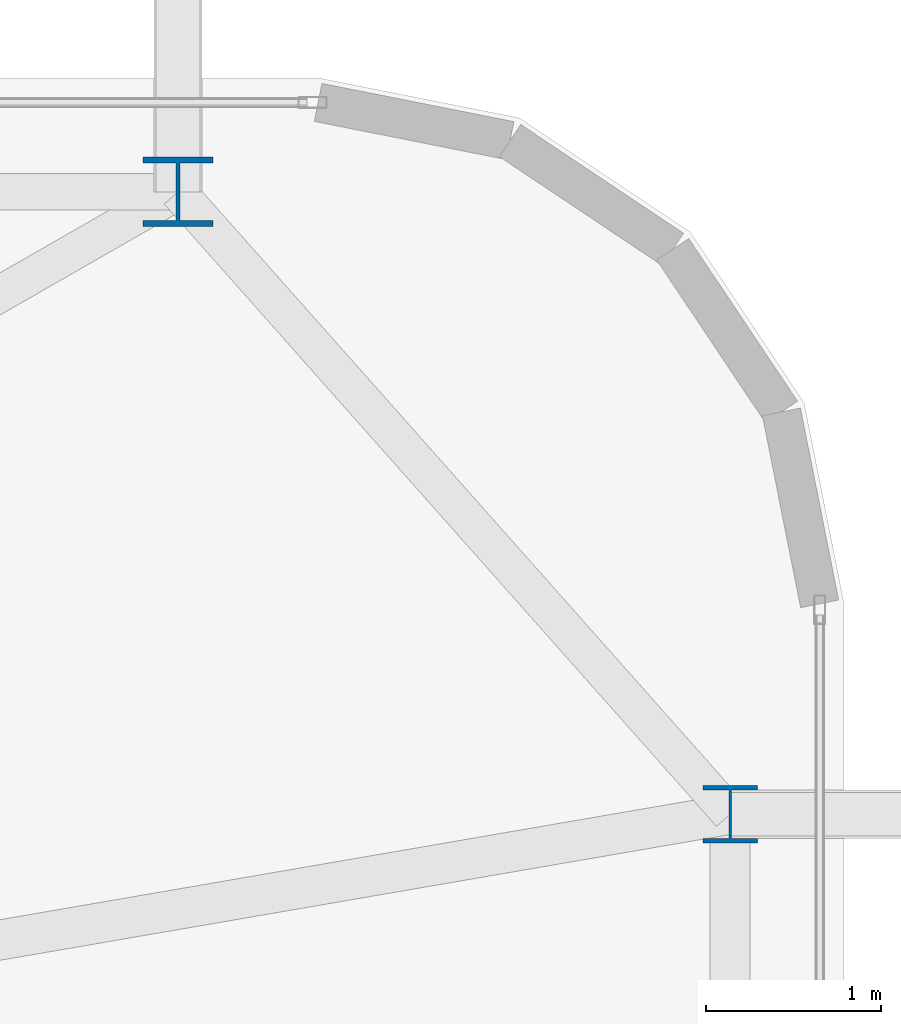
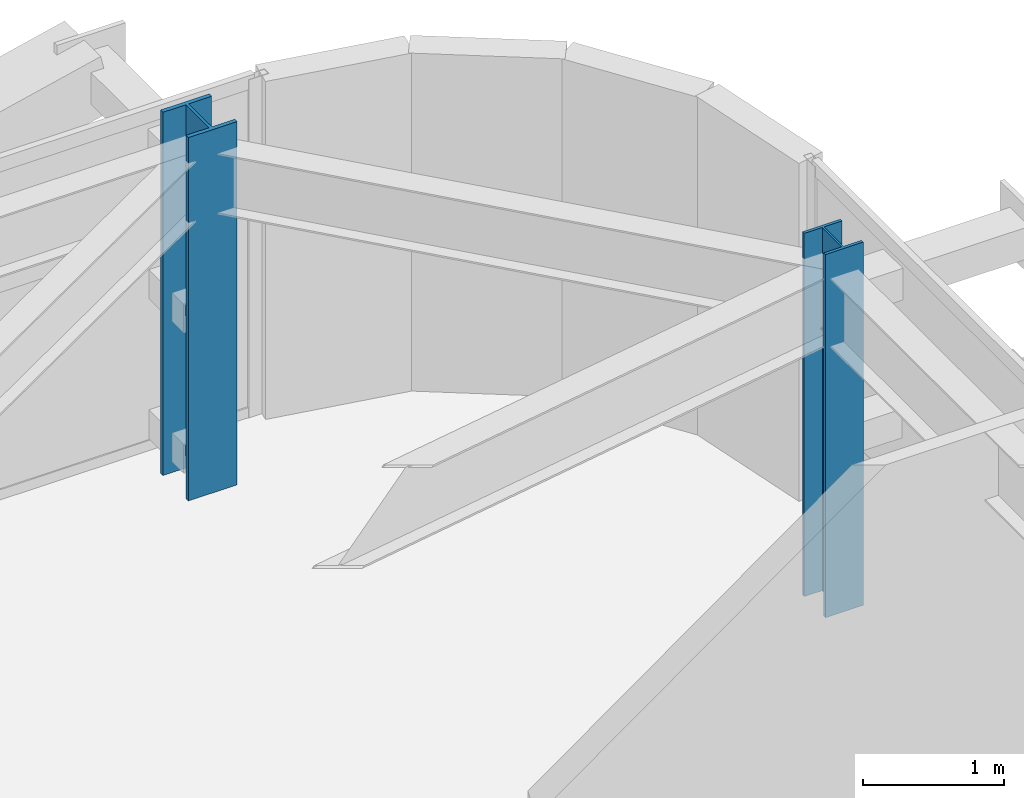
# One storey, part 4 of 58: 2 columns.
"""IFC4 building model written with IfcOpenShell, lengths in metres."""

from ifc_helpers import new_model, si_unit, direction, frame, origin, origin_2d, place, context, subcontext, project, spatial, i_section, extrude, source, transform, mapped, material, material_profile, profile_set, type_object, element, save


model = new_model("IFC4")

# Units and contexts
model_context = context("Model", 3, precision=1e-05, world=origin(), true_north=direction((0.0, 1.0)))
body_context = subcontext(model_context, "Body", "Model", "MODEL_VIEW")
ifc_project = project(units=[si_unit("LENGTHUNIT", "METRE"), si_unit("AREAUNIT", "SQUARE_METRE"), si_unit("VOLUMEUNIT", "CUBIC_METRE"), si_unit("PLANEANGLEUNIT", "RADIAN"), si_unit("MASSUNIT", "GRAM", prefix="KILO")], contexts=[model_context])

# Site, building, storey
site_placement = place(None, origin())
site = spatial("IfcSite", under=ifc_project, at=site_placement, CompositionType="ELEMENT")
building_placement = place(site_placement, origin())
building = spatial("IfcBuilding", under=site, at=building_placement, Name="Taldren Reach Tower", CompositionType="ELEMENT")
storey_placement = place(building_placement, frame((0.0, 0.0, 54.60009765625)))
storey = spatial("IfcBuildingStorey", under=building, at=storey_placement, Name="L16", CompositionType="ELEMENT", Elevation=54.60009765625)

# Columns
ifc_material = material(Name="Steel Gr 350 (350PLUS)", Category="steel")
ifc_material_profile_1 = material_profile(ifc_material, i_section(OverallWidth=0.39990234375, OverallDepth=0.39599609375, WebThickness=0.02197265625, FlangeThickness=0.033935546875, at=origin_2d()), Name="400WC270")
ifc_profile_set_1 = profile_set([ifc_material_profile_1], Name="Steel Gr 350 (350PLUS)")
column_type_1 = type_object("IfcColumnType", Name="COL-WC400", PredefinedType="COLUMN", material=ifc_profile_set_1)
shared_shape_1 = source(origin(), body_context, "Body", "SweptSolid", [
    extrude(i_section(OverallWidth=0.39990234375, OverallDepth=0.39599609375, WebThickness=0.02197265625, FlangeThickness=0.033935546875, at=origin_2d()), origin(), (0.0, 0.0, 1.0), 3.14990234375),
])
column_1_placement = place(storey_placement, frame((61.199951171875, 37.85009765625, 0.0), z_axis=(0.0, 0.0, 1.0), x_axis=(1.0, 0.0, 0.0)))
element("IfcColumn", 1, at=column_1_placement, inside=storey, type_object=column_type_1, Name="Block B1 perimeter column N6 L16", PredefinedType="COLUMN", context=body_context, shape_type="MappedRepresentation", body=[
    mapped(shared_shape_1, transform((0.0, 0.0, 0.0), scale=1.0)),
])
ifc_material_profile_2 = material_profile(ifc_material, i_section(OverallWidth=0.31103515625, OverallDepth=0.326904296875, WebThickness=0.015625, FlangeThickness=0.02490234375, at=origin_2d()), Name="310UC158")
ifc_profile_set_2 = profile_set([ifc_material_profile_2], Name="Steel Gr 350 (350PLUS)")
column_type_2 = type_object("IfcColumnType", Name="COL-UC310A", PredefinedType="COLUMN", material=ifc_profile_set_2)
shared_shape_2 = source(origin(), body_context, "Body", "SweptSolid", [
    extrude(i_section(OverallWidth=0.31103515625, OverallDepth=0.326904296875, WebThickness=0.015625, FlangeThickness=0.02490234375, at=origin_2d()), origin(), (0.0, 0.0, 1.0), 3.14990234375),
])
column_2_placement = place(storey_placement, frame((64.35009765625, 34.300048828125, 0.0), z_axis=(0.0, 0.0, 1.0), x_axis=(1.0, 0.0, 0.0)))
element("IfcColumn", 2, at=column_2_placement, inside=storey, type_object=column_type_2, Name="Block B1 perimeter column E3 L16", PredefinedType="COLUMN", context=body_context, shape_type="MappedRepresentation", body=[
    mapped(shared_shape_2, transform((0.0, 0.0, 0.0), scale=1.0)),
])

save(model, "model.ifc")
